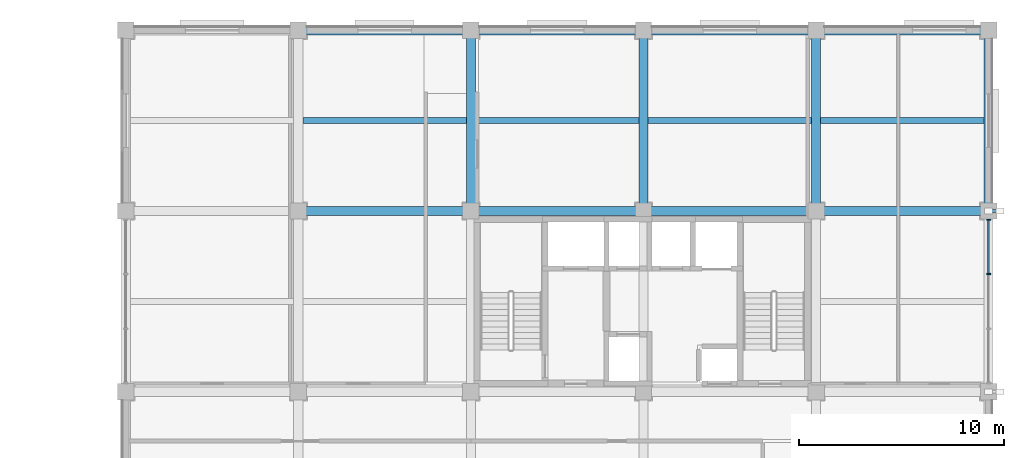
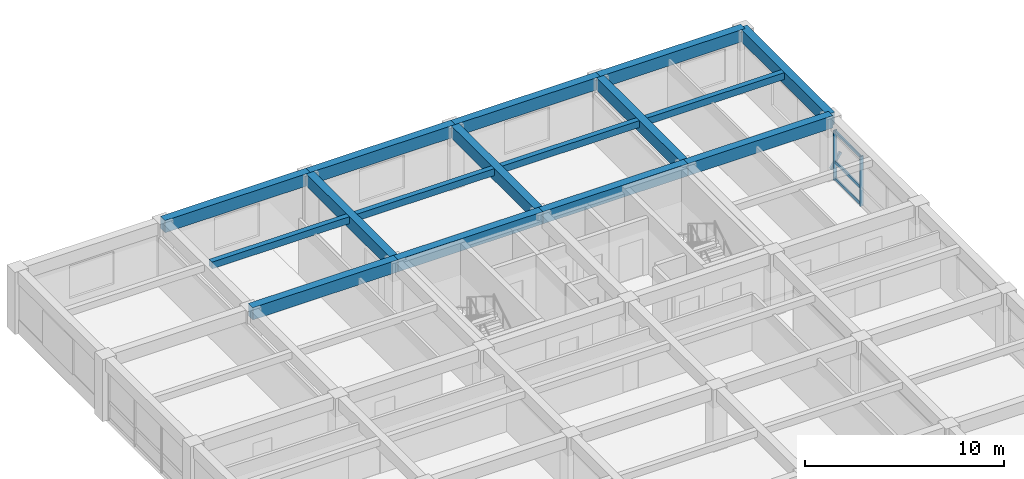
# One storey, part 6 of 16: 16 beams, 6 members, 1 element without a shape of its own.
"""IFC4 building model written with IfcOpenShell, lengths in metres."""

from ifc_helpers import new_model, si_unit, direction, frame, origin, origin_2d, place, context, subcontext, project, spatial, rectangle, hollow_rectangle, extrude, material, material_profile, profile_set, type_object, element, aggregate, save


model = new_model("IFC4")

# Units and contexts
model_context = context("Model", 3, precision=1e-05, world=origin(), true_north=direction((0.0, 1.0)))
body_context = subcontext(model_context, "Body", "Model", "MODEL_VIEW")
ifc_project = project(units=[si_unit("LENGTHUNIT", "METRE"), si_unit("AREAUNIT", "SQUARE_METRE"), si_unit("VOLUMEUNIT", "CUBIC_METRE"), si_unit("PLANEANGLEUNIT", "RADIAN"), si_unit("MASSUNIT", "GRAM", prefix="KILO")], contexts=[model_context])

# Site, building, storey
site_placement = place(None, origin())
site = spatial("IfcSite", under=ifc_project, at=site_placement, CompositionType="ELEMENT")
building_placement = place(site_placement, origin())
building = spatial("IfcBuilding", under=site, at=building_placement, Name="Kemercrest Conservatory and Botanical Centre", CompositionType="ELEMENT")
storey_placement = place(building_placement, frame((0.0, 0.0, 17.199951171875)))
storey = spatial("IfcBuildingStorey", under=building, at=storey_placement, Name="L04", CompositionType="ELEMENT", Elevation=17.199951171875)

# Beams
ifc_material_1 = material(Name="Concrete C40/50", Category="concrete")
ifc_material_profile_1 = material_profile(ifc_material_1, rectangle(XDim=0.449951171875, YDim=0.75, at=origin_2d()), Name="RC 450x750")
ifc_profile_set_1 = profile_set([ifc_material_profile_1], Name="Concrete C40/50")
beam_type_1 = type_object("IfcBeamType", Name="BM-RC75", PredefinedType="BEAM", material=ifc_profile_set_1)
beam_1_placement = place(storey_placement, frame((142.39990234375, 113.60009765625, 3.425048828125), z_axis=(1.0, 0.0, 0.0), x_axis=(0.0, 1.0, 0.0)))
element("IfcBeam", 1, at=beam_1_placement, inside=storey, type_object=beam_type_1, Name="V4-L05 beam BM-RC75 N/17-18", PredefinedType="BEAM", context=body_context, shape_type="SweptSolid", body=[
    extrude(rectangle(XDim=0.449951171875, YDim=0.75, at=origin_2d()), origin(), (0.0, 0.0, 1.0), 8.400146484375),
])
beam_2_placement = place(storey_placement, frame((150.800048828125, 113.60009765625, 3.425048828125), z_axis=(1.0, 0.0, 0.0), x_axis=(0.0, 1.0, 0.0)))
element("IfcBeam", 2, at=beam_2_placement, inside=storey, type_object=beam_type_1, Name="V4-L05 beam BM-RC75 N/18-19", PredefinedType="BEAM", context=body_context, shape_type="SweptSolid", body=[
    extrude(rectangle(XDim=0.449951171875, YDim=0.75, at=origin_2d()), origin(), (0.0, 0.0, 1.0), 8.39990234375),
])
beam_3_placement = place(storey_placement, frame((159.199951171875, 113.60009765625, 3.425048828125), z_axis=(1.0, 0.0, 0.0), x_axis=(0.0, 1.0, 0.0)))
element("IfcBeam", 3, at=beam_3_placement, inside=storey, type_object=beam_type_1, Name="V4-L05 beam BM-RC75 N/19-20", PredefinedType="BEAM", context=body_context, shape_type="SweptSolid", body=[
    extrude(rectangle(XDim=0.449951171875, YDim=0.75, at=origin_2d()), origin(), (0.0, 0.0, 1.0), 8.400146484375),
])
beam_4_placement = place(storey_placement, frame((167.60009765625, 113.60009765625, 3.425048828125), z_axis=(1.0, 0.0, 0.0), x_axis=(0.0, 1.0, 0.0)))
element("IfcBeam", 4, at=beam_4_placement, inside=storey, type_object=beam_type_1, Name="V4-L05 beam BM-RC75 N/20-21", PredefinedType="BEAM", context=body_context, shape_type="SweptSolid", body=[
    extrude(rectangle(XDim=0.449951171875, YDim=0.75, at=origin_2d()), origin(), (0.0, 0.0, 1.0), 8.39990234375),
])
for number, where, z_axis, x_axis, name in (
    (5, (150.800048828125, 113.60009765625, 3.425048828125), (0.0, 1.0, 0.0), (-1.0, 0.0, 0.0), "V4-L05 beam BM-RC75 18/N-P"),
    (6, (159.199951171875, 113.60009765625, 3.425048828125), (0.0, 1.0, 0.0), (-1.0, 0.0, 0.0), "V4-L05 beam BM-RC75 19/N-P"),
    (7, (167.60009765625, 113.60009765625, 3.425048828125), (0.0, 1.0, 0.0), (-1.0, 0.0, 0.0), "V4-L05 beam BM-RC75 20/N-P"),
):
    element("IfcBeam", number, at=place(storey_placement, frame(where, z_axis=z_axis, x_axis=x_axis)), inside=storey, type_object=beam_type_1, Name=name, PredefinedType="BEAM", context=body_context, shape_type="SweptSolid", body=[
        extrude(rectangle(XDim=0.449951171875, YDim=0.75, at=origin_2d()), origin(), (0.0, 0.0, 1.0), 8.7998046875),
    ])

# Member
ifc_material_2 = material(Name="Steel CSA G40.21 350W", Category="steel")
ifc_material_profile_2 = material_profile(ifc_material_2, hollow_rectangle(XDim=0.15234375, YDim=0.15234375, WallThickness=0.009521484375, InnerFilletRadius=0.009521484375, OuterFilletRadius=0.01904296875, at=origin_2d()), Name="HSS 152x152x9.5")
ifc_profile_set_2 = profile_set([ifc_material_profile_2], Name="Steel CSA G40.21 350W")
member_type_1 = type_object("IfcMemberType", Name="BR-CUM152", PredefinedType="BRACE", material=ifc_profile_set_2)
member_1_placement = place(storey_placement, frame((176.0, 113.60009765625, 0.400146484375), z_axis=(0.543351270749, 0.0, 0.839505447615), x_axis=(0.0, 1.0, 0.0)))
element("IfcMember", 8, at=member_1_placement, inside=storey, type_object=member_type_1, Name="Tower cumba projecting bay knee brace strut L04-3", PredefinedType="BRACE", context=body_context, shape_type="SweptSolid", body=[
    extrude(hollow_rectangle(XDim=0.15234375, YDim=0.15234375, WallThickness=0.009521484375, InnerFilletRadius=0.009521484375, OuterFilletRadius=0.01904296875, at=origin_2d()), origin(), (0.0, 0.0, 1.0), 1.01220703125),
])

# Curtain wall, members
ifc_material_3 = material(Name="Thermally broken aluminium and triple low-e glazing", Category="aluminium")
curtain_wall_type = type_object("IfcCurtainWallType", Name="CW-13", PredefinedType="USERDEFINED", material=ifc_material_3)
curtain_wall_placement = place(storey_placement, origin())
curtain_wall = element("IfcCurtainWall", 9, at=curtain_wall_placement, inside=storey, type_object=curtain_wall_type, Name="Unitised curtain wall CW-13 (CW:L04:V4-072)", ObjectType="UNITISED CURTAIN WALL", PredefinedType="USERDEFINED")
ifc_material_4 = material(Name="Thermally broken anodized aluminium 6063-T6", Category="aluminium")
ifc_material_profile_3 = material_profile(ifc_material_4, rectangle(XDim=0.199951171875, YDim=0.06494140625, at=origin_2d()), Name="AL MULLION 65x200")
ifc_profile_set_3 = profile_set([ifc_material_profile_3], Name="Thermally broken anodized aluminium 6063-T6")
member_type_2 = type_object("IfcMemberType", Name="CW-M200", PredefinedType="MULLION", material=ifc_profile_set_3)
member_2_placement = place(storey_placement, frame((176.0, 110.534912109375, 0.0), z_axis=(0.0, 0.0, 1.0), x_axis=(-1.0, 0.0, 0.0)))
member_2 = element("IfcMember", 10, at=member_2_placement, type_object=member_type_2, Name="CW-13 mullion 3", PredefinedType="MULLION", context=body_context, shape_type="SweptSolid", body=[
    extrude(rectangle(XDim=0.199951171875, YDim=0.06494140625, at=origin_2d()), origin(), (0.0, 0.0, 1.0), 3.054931640625),
])
member_3_placement = place(storey_placement, frame((176.0, 113.172607421875, 0.0), z_axis=(0.0, 0.0, 1.0), x_axis=(-1.0, 0.0, 0.0)))
member_3 = element("IfcMember", 11, at=member_3_placement, type_object=member_type_2, Name="CW-13 mullion 4", PredefinedType="MULLION", context=body_context, shape_type="SweptSolid", body=[
    extrude(rectangle(XDim=0.199951171875, YDim=0.06494140625, at=origin_2d()), origin(), (0.0, 0.0, 1.0), 3.054931640625),
])
ifc_material_profile_4 = material_profile(ifc_material_4, rectangle(XDim=0.074951171875, YDim=0.179931640625, at=origin_2d()), Name="AL TRANSOM 75x180")
ifc_profile_set_4 = profile_set([ifc_material_profile_4], Name="Thermally broken anodized aluminium 6063-T6")
member_type_3 = type_object("IfcMemberType", Name="CW-T180", PredefinedType="USERDEFINED", material=ifc_profile_set_4)
member_4_placement = place(storey_placement, frame((176.0, 110.5673828125, 0.090087890625), z_axis=(0.0, 1.0, 0.0), x_axis=(-1.0, 0.0, 0.0)))
member_4 = element("IfcMember", 12, at=member_4_placement, type_object=member_type_3, Name="CW-13 transom 3.1", ObjectType="TRANSOM", PredefinedType="USERDEFINED", context=body_context, shape_type="SweptSolid", body=[
    extrude(rectangle(XDim=0.074951171875, YDim=0.179931640625, at=origin_2d()), origin(), (0.0, 0.0, 1.0), 2.572509765625),
])
member_5_placement = place(storey_placement, frame((176.0, 110.5673828125, 1.1201171875), z_axis=(0.0, 1.0, 0.0), x_axis=(-1.0, 0.0, 0.0)))
member_5 = element("IfcMember", 13, at=member_5_placement, type_object=member_type_3, Name="CW-13 transom 3.2", ObjectType="TRANSOM", PredefinedType="USERDEFINED", context=body_context, shape_type="SweptSolid", body=[
    extrude(rectangle(XDim=0.074951171875, YDim=0.179931640625, at=origin_2d()), origin(), (0.0, 0.0, 1.0), 2.572509765625),
])
member_6_placement = place(storey_placement, frame((176.0, 110.5673828125, 2.965087890625), z_axis=(0.0, 1.0, 0.0), x_axis=(-1.0, 0.0, 0.0)))
member_6 = element("IfcMember", 14, at=member_6_placement, type_object=member_type_3, Name="CW-13 transom 3.3", ObjectType="TRANSOM", PredefinedType="USERDEFINED", context=body_context, shape_type="SweptSolid", body=[
    extrude(rectangle(XDim=0.074951171875, YDim=0.179931640625, at=origin_2d()), origin(), (0.0, 0.0, 1.0), 2.572509765625),
])
aggregate(curtain_wall, [member_2, member_3, member_4, member_5, member_6])

# Beams
ifc_material_profile_5 = material_profile(ifc_material_1, rectangle(XDim=0.300048828125, YDim=0.419921875, at=origin_2d()), Name="RC 300x420")
ifc_profile_set_5 = profile_set([ifc_material_profile_5], Name="Concrete C40/50")
beam_type_2 = type_object("IfcBeamType", Name="JS-RC42", PredefinedType="JOIST", material=ifc_profile_set_5)
beam_5_placement = place(storey_placement, frame((142.625, 118.0, 3.590087890625), z_axis=(1.0, 0.0, 0.0), x_axis=(0.0, 1.0, 0.0)))
element("IfcBeam", 15, at=beam_5_placement, inside=storey, type_object=beam_type_2, Name="V4-L05 secondary joist JS-RC42", PredefinedType="JOIST", context=body_context, shape_type="SweptSolid", body=[
    extrude(rectangle(XDim=0.300048828125, YDim=0.419921875, at=origin_2d()), origin(), (0.0, 0.0, 1.0), 7.949951171875),
])
beam_6_placement = place(storey_placement, frame((151.02490234375, 118.0, 3.590087890625), z_axis=(1.0, 0.0, 0.0), x_axis=(0.0, 1.0, 0.0)))
element("IfcBeam", 16, at=beam_6_placement, inside=storey, type_object=beam_type_2, Name="V4-L05 secondary joist JS-RC42", PredefinedType="JOIST", context=body_context, shape_type="SweptSolid", body=[
    extrude(rectangle(XDim=0.300048828125, YDim=0.419921875, at=origin_2d()), origin(), (0.0, 0.0, 1.0), 7.9501953125),
])
for number, where, z_axis, x_axis, name in (
    (17, (159.425048828125, 118.0, 3.590087890625), (1.0, 0.0, 0.0), (0.0, 1.0, 0.0), "V4-L05 secondary joist JS-RC42"),
    (18, (167.824951171875, 118.0, 3.590087890625), (1.0, 0.0, 0.0), (0.0, 1.0, 0.0), "V4-L05 secondary joist JS-RC42"),
):
    element("IfcBeam", number, at=place(storey_placement, frame(where, z_axis=z_axis, x_axis=x_axis)), inside=storey, type_object=beam_type_2, Name=name, PredefinedType="JOIST", context=body_context, shape_type="SweptSolid", body=[
        extrude(rectangle(XDim=0.300048828125, YDim=0.419921875, at=origin_2d()), origin(), (0.0, 0.0, 1.0), 7.949951171875),
    ])
ifc_material_profile_6 = material_profile(ifc_material_1, rectangle(XDim=0.449951171875, YDim=0.75, at=origin_2d()), Name="RC 450x750")
ifc_profile_set_6 = profile_set([ifc_material_profile_6], Name="Concrete C40/50")
beam_type_3 = type_object("IfcBeamType", Name="SP-RC75", PredefinedType="SPANDREL", material=ifc_profile_set_6)
beam_7_placement = place(storey_placement, frame((142.39990234375, 122.39990234375, 3.425048828125), z_axis=(1.0, 0.0, 0.0), x_axis=(0.0, 1.0, 0.0)))
element("IfcBeam", 19, at=beam_7_placement, inside=storey, type_object=beam_type_3, Name="V4-L05 beam SP-RC75 P/17-18", PredefinedType="SPANDREL", context=body_context, shape_type="SweptSolid", body=[
    extrude(rectangle(XDim=0.449951171875, YDim=0.75, at=origin_2d()), origin(), (0.0, 0.0, 1.0), 8.400146484375),
])
beam_8_placement = place(storey_placement, frame((150.800048828125, 122.39990234375, 3.425048828125), z_axis=(1.0, 0.0, 0.0), x_axis=(0.0, 1.0, 0.0)))
element("IfcBeam", 20, at=beam_8_placement, inside=storey, type_object=beam_type_3, Name="V4-L05 beam SP-RC75 P/18-19", PredefinedType="SPANDREL", context=body_context, shape_type="SweptSolid", body=[
    extrude(rectangle(XDim=0.449951171875, YDim=0.75, at=origin_2d()), origin(), (0.0, 0.0, 1.0), 8.39990234375),
])
beam_9_placement = place(storey_placement, frame((159.199951171875, 122.39990234375, 3.425048828125), z_axis=(1.0, 0.0, 0.0), x_axis=(0.0, 1.0, 0.0)))
element("IfcBeam", 21, at=beam_9_placement, inside=storey, type_object=beam_type_3, Name="V4-L05 beam SP-RC75 P/19-20", PredefinedType="SPANDREL", context=body_context, shape_type="SweptSolid", body=[
    extrude(rectangle(XDim=0.449951171875, YDim=0.75, at=origin_2d()), origin(), (0.0, 0.0, 1.0), 8.400146484375),
])
beam_10_placement = place(storey_placement, frame((167.60009765625, 122.39990234375, 3.425048828125), z_axis=(1.0, 0.0, 0.0), x_axis=(0.0, 1.0, 0.0)))
element("IfcBeam", 22, at=beam_10_placement, inside=storey, type_object=beam_type_3, Name="V4-L05 beam SP-RC75 P/20-21", PredefinedType="SPANDREL", context=body_context, shape_type="SweptSolid", body=[
    extrude(rectangle(XDim=0.449951171875, YDim=0.75, at=origin_2d()), origin(), (0.0, 0.0, 1.0), 8.39990234375),
])
beam_11_placement = place(storey_placement, frame((176.0, 113.60009765625, 3.425048828125), z_axis=(0.0, 1.0, 0.0), x_axis=(-1.0, 0.0, 0.0)))
element("IfcBeam", 23, at=beam_11_placement, inside=storey, type_object=beam_type_3, Name="V4-L05 beam SP-RC75 21/N-P", PredefinedType="SPANDREL", context=body_context, shape_type="SweptSolid", body=[
    extrude(rectangle(XDim=0.449951171875, YDim=0.75, at=origin_2d()), origin(), (0.0, 0.0, 1.0), 8.7998046875),
])

save(model, "model.ifc")
